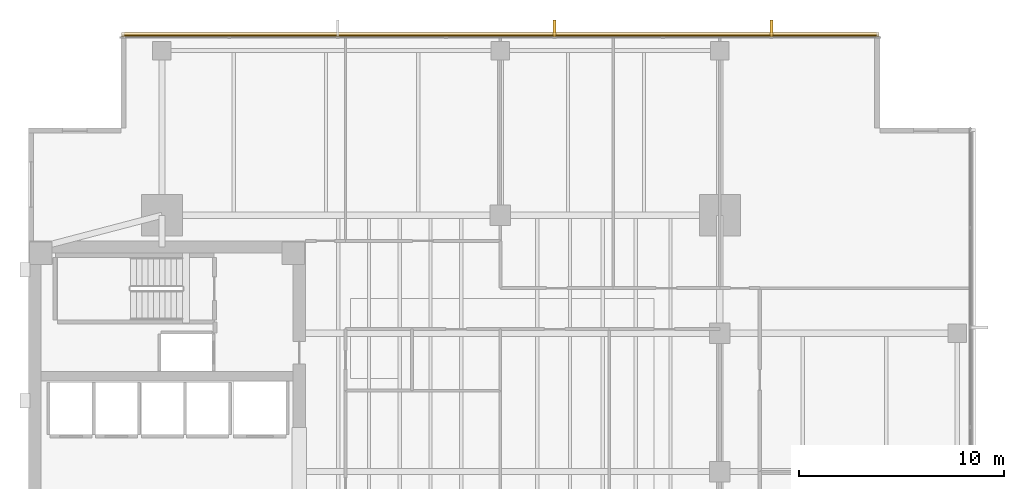
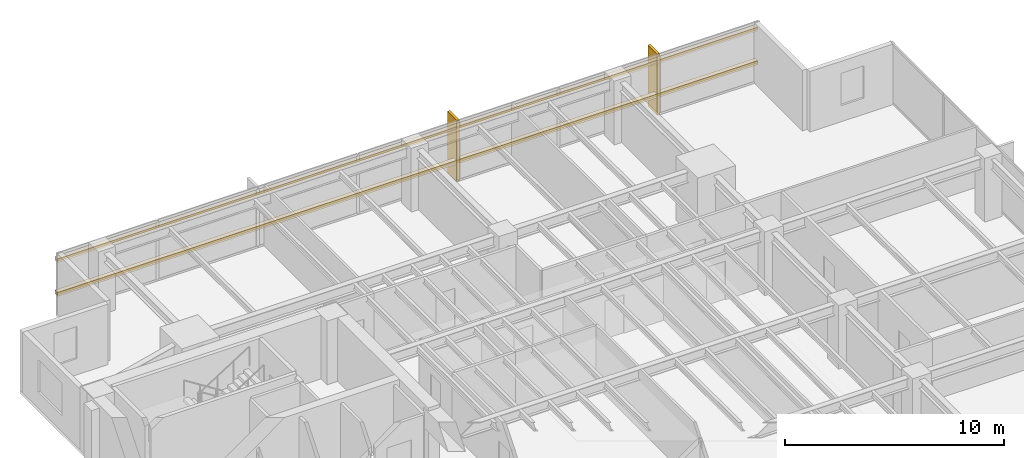
# One storey, part 14 of 14: 4 coverings, 2 shading devices.
"""IFC4 building model written with IfcOpenShell, lengths in metres."""

from ifc_helpers import new_model, si_unit, direction, frame, origin, origin_2d, place, context, subcontext, project, spatial, polyline, rectangle, outline, extrude, material, layer, layer_set, material_profile, profile_set, type_object, element, save


model = new_model("IFC4")

# Units and contexts
model_context = context("Model", 3, precision=1e-05, world=origin(), true_north=direction((0.0, 1.0)))
body_context = subcontext(model_context, "Body", "Model", "MODEL_VIEW")
ifc_project = project(units=[si_unit("LENGTHUNIT", "METRE"), si_unit("AREAUNIT", "SQUARE_METRE"), si_unit("VOLUMEUNIT", "CUBIC_METRE"), si_unit("PLANEANGLEUNIT", "RADIAN"), si_unit("MASSUNIT", "GRAM", prefix="KILO")], contexts=[model_context])

# Site, building, storey
site_placement = place(None, origin())
site = spatial("IfcSite", under=ifc_project, at=site_placement, CompositionType="ELEMENT")
building_placement = place(site_placement, origin())
building = spatial("IfcBuilding", under=site, at=building_placement, Name="Kinhvarn Gate Tower", CompositionType="ELEMENT")
storey_placement = place(building_placement, frame((0.0, 0.0, 123.550048828125)))
storey = spatial("IfcBuildingStorey", under=building, at=storey_placement, Name="L32", CompositionType="ELEMENT", Elevation=123.550048828125)

# Coverings
ifc_material = material(Name="Fired architectural terracotta", Category="masonry")
ifc_layer_1 = layer(ifc_material, 0.239990234375)
ifc_layer_set_1 = layer_set([ifc_layer_1], Name="Fired architectural terracotta")
covering_type_1 = type_object("IfcCoveringType", Name="COV-BAG-220", PredefinedType="CLADDING", material=ifc_layer_set_1)
for number, where, name in (
    (1, (0.0, 0.0, 0.93994140625), "Terracotta Horizontal Sunscreen Band TBG-220 (L32)"),
    (2, (0.0, 0.0, 2.81005859375), "Terracotta Horizontal Sunscreen Band TBG-220 (L32)"),
):
    element("IfcCovering", number, at=place(storey_placement, frame(where)), inside=storey, type_object=covering_type_1, Name=name, PredefinedType="CLADDING", context=body_context, shape_type="SweptSolid", body=[
        extrude(outline(polyline([(45.9599609375, 46.429931640625), (9.0400390625, 46.429931640625), (9.0400390625, 46.669921875), (45.9599609375, 46.669921875), (45.9599609375, 46.429931640625)])), origin(), (0.0, 0.0, 1.0), 0.219970703125),
    ])
ifc_layer_2 = layer(ifc_material, 0.139892578125)
ifc_layer_set_2 = layer_set([ifc_layer_2], Name="Fired architectural terracotta")
covering_type_2 = type_object("IfcCoveringType", Name="COV-FIN-850", PredefinedType="CLADDING", material=ifc_layer_set_2)
covering_1_placement = place(storey_placement, frame((0.0, 0.0, -0.02001953125)))
element("IfcCovering", 3, at=covering_1_placement, inside=storey, type_object=covering_type_2, Name="Vertical Terracotta Expressive Fin TFN-850 (L32)", PredefinedType="CLADDING", context=body_context, shape_type="SweptSolid", body=[
    extrude(outline(polyline([(40.7841796875, 46.419921875), (40.644287109375, 46.419921875), (40.644287109375, 47.27001953125), (40.7841796875, 47.27001953125), (40.7841796875, 46.419921875)])), origin(), (0.0, 0.0, 1.0), 3.409912109375),
])
covering_2_placement = place(storey_placement, frame((0.0, 0.0, -0.02001953125)))
element("IfcCovering", 4, at=covering_2_placement, inside=storey, type_object=covering_type_2, Name="Vertical Terracotta Expressive Fin TFN-850 (L32)", PredefinedType="CLADDING", context=body_context, shape_type="SweptSolid", body=[
    extrude(outline(polyline([(30.212890625, 46.419921875), (30.072998046875, 46.419921875), (30.072998046875, 47.27001953125), (30.212890625, 47.27001953125), (30.212890625, 46.419921875)])), origin(), (0.0, 0.0, 1.0), 3.409912109375),
])

# Shading devices
ifc_material_profile = material_profile(ifc_material, rectangle(XDim=0.050048828125, YDim=0.1201171875, at=origin_2d()), Name="TC 50x120")
ifc_profile_set = profile_set([ifc_material_profile], Name="Fired architectural terracotta")
shading_device_type = type_object("IfcShadingDeviceType", Name="SHD-BAG-140", PredefinedType="USERDEFINED", material=ifc_profile_set)
for number, where, z_axis, x_axis, name in (
    (5, (45.9599609375, 46.5, 1.050048828125), (-1.0, 0.0, 0.0), (0.0, -1.0, 0.0), "Upper Tower Terracotta Baguette Screen Rod 50x120 mm (L32)"),
    (6, (45.9599609375, 46.5, 2.919921875), (-1.0, 0.0, 0.0), (0.0, -1.0, 0.0), "Upper Tower Terracotta Baguette Screen Rod 50x120 mm (L32)"),
):
    element("IfcShadingDevice", number, at=place(storey_placement, frame(where, z_axis=z_axis, x_axis=x_axis)), inside=storey, type_object=shading_device_type, Name=name, ObjectType="BAGUETTE", PredefinedType="USERDEFINED", context=body_context, shape_type="SweptSolid", body=[
        extrude(rectangle(XDim=0.050048828125, YDim=0.1201171875, at=origin_2d()), origin(), (0.0, 0.0, 1.0), 36.919921875),
    ])

save(model, "model.ifc")
